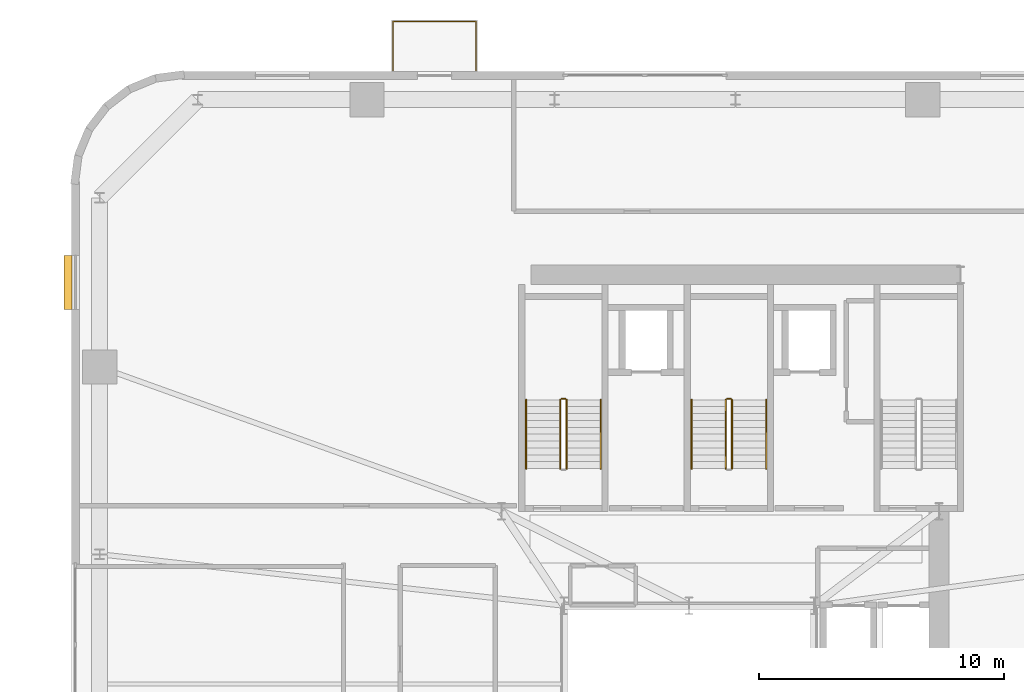
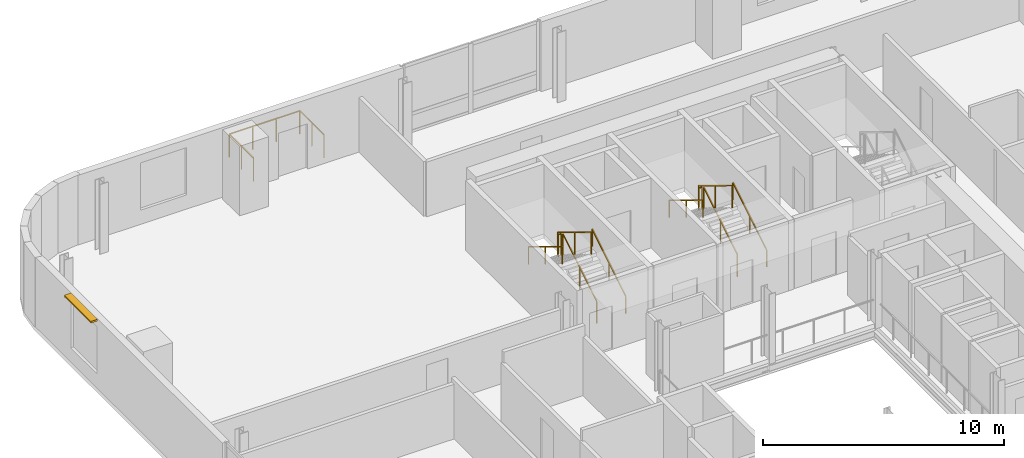
# One storey, part 15 of 16: 11 railings, 1 shading device.
"""IFC4 building model written with IfcOpenShell, lengths in metres."""

from ifc_helpers import new_model, si_unit, direction, frame, origin, origin_2d, place, context, subcontext, project, spatial, rectangle, extrude, source, transform, mapped, material, layer, layer_set, type_object, element, save


model = new_model("IFC4")

# Units and contexts
model_context = context("Model", 3, precision=1e-05, world=origin(), true_north=direction((0.0, 1.0)))
body_context = subcontext(model_context, "Body", "Model", "MODEL_VIEW")
ifc_project = project(units=[si_unit("LENGTHUNIT", "METRE"), si_unit("AREAUNIT", "SQUARE_METRE"), si_unit("VOLUMEUNIT", "CUBIC_METRE"), si_unit("PLANEANGLEUNIT", "RADIAN"), si_unit("MASSUNIT", "GRAM", prefix="KILO")], contexts=[model_context])

# Site, building, storey
site_placement = place(None, origin())
site = spatial("IfcSite", under=ifc_project, at=site_placement, CompositionType="ELEMENT")
building_placement = place(site_placement, origin())
building = spatial("IfcBuilding", under=site, at=building_placement, Name="Vardaveli Station Tower", CompositionType="ELEMENT")
storey_placement = place(building_placement, frame((0.0, 0.0, 192.300048828125)))
storey = spatial("IfcBuildingStorey", under=building, at=storey_placement, Name="L49", CompositionType="ELEMENT", Elevation=192.300048828125)

# Railing
ifc_material_1 = material(Name="Laminated glass and stainless steel balustrade", Category="steel")
railing_type_1 = type_object("IfcRailingType", Name="RL-BAL-1200", PredefinedType="BALUSTRADE", material=ifc_material_1)
shared_shape_1 = source(origin(), body_context, "Body", "SweptSolid", [
    extrude(rectangle(XDim=0.048095703125, YDim=0.048095703125, at=origin_2d()), frame((0.0, 0.0, 1.17578125), z_axis=(0.0, 1.0, 0.0), x_axis=(-1.0, 0.0, 0.0)), (0.0, 0.0, 1.0), 2.0),
    extrude(rectangle(XDim=0.048095703125, YDim=0.048095703125, at=origin_2d()), frame((0.0, 2.0, 1.17578125), z_axis=(1.0, 0.0, 0.0), x_axis=(0.0, 1.0, 0.0)), (0.0, 0.0, 1.0), 3.3798828125),
    extrude(rectangle(XDim=0.048095703125, YDim=0.048095703125, at=origin_2d()), frame((3.3798828125, 2.0, 1.17578125), z_axis=(0.0, -1.0, 0.0), x_axis=(1.0, 0.0, 0.0)), (0.0, 0.0, 1.0), 2.0),
    extrude(rectangle(XDim=0.0419921875, YDim=0.0419921875, at=origin_2d()), origin(), (0.0, 0.0, 1.0), 1.15185546875),
    extrude(rectangle(XDim=0.0419921875, YDim=0.0419921875, at=origin_2d()), frame((0.0, 1.0, 0.0)), (0.0, 0.0, 1.0), 1.15185546875),
    extrude(rectangle(XDim=0.0419921875, YDim=0.0419921875, at=origin_2d()), frame((0.0, 2.0, 0.0)), (0.0, 0.0, 1.0), 1.15185546875),
    extrude(rectangle(XDim=0.0419921875, YDim=0.0419921875, at=origin_2d()), frame((1.126708984375, 2.0, 0.0)), (0.0, 0.0, 1.0), 1.15185546875),
    extrude(rectangle(XDim=0.0419921875, YDim=0.0419921875, at=origin_2d()), frame((2.253173828125, 2.0, 0.0)), (0.0, 0.0, 1.0), 1.15185546875),
    extrude(rectangle(XDim=0.0419921875, YDim=0.0419921875, at=origin_2d()), frame((3.3798828125, 2.0, 0.0)), (0.0, 0.0, 1.0), 1.15185546875),
    extrude(rectangle(XDim=0.0419921875, YDim=0.0419921875, at=origin_2d()), frame((3.3798828125, 1.0, 0.0)), (0.0, 0.0, 1.0), 1.15185546875),
    extrude(rectangle(XDim=0.0419921875, YDim=0.0419921875, at=origin_2d()), frame((3.3798828125, 0.0, 0.0)), (0.0, 0.0, 1.0), 1.15185546875),
])
railing_placement = place(storey_placement, frame((24.220458984375, 48.639892578125, 0.0)))
element("IfcRailing", 1, at=railing_placement, inside=storey, type_object=railing_type_1, Name="RL-LOG-L49-02", PredefinedType="BALUSTRADE", context=body_context, shape_type="MappedRepresentation", body=[
    mapped(shared_shape_1, transform((0.0, 0.0, 0.0), scale=1.0)),
])

# Shading device
ifc_material_2 = material(Name="Anodised champagne aluminium sunshade", Category="aluminium")
ifc_layer = layer(ifc_material_2, 0.090087890625, Name="Anodised champagne aluminium sunshade")
ifc_layer_set = layer_set([ifc_layer], Name="Anodised champagne aluminium sunshade")
shading_device_type = type_object("IfcShadingDeviceType", Name="SHD-SUNSHADE", PredefinedType="USERDEFINED", material=ifc_layer_set)
shared_shape_2 = source(origin(), body_context, "Body", "SweptSolid", [
    extrude(rectangle(XDim=2.199951171875, YDim=0.320068359375, at=origin_2d()), origin(), (0.0, 0.0, 1.0), 0.090087890625),
])
shading_device_placement = place(storey_placement, frame((10.955078125, 39.9951171875, 3.40966796875), z_axis=(0.0, 0.0, 1.0), x_axis=(0.0, 1.0, 0.0)))
element("IfcShadingDevice", 2, at=shading_device_placement, inside=storey, type_object=shading_device_type, Name="SHD-SS-L49-W", ObjectType="SUNSHADE", PredefinedType="USERDEFINED", context=body_context, shape_type="MappedRepresentation", body=[
    mapped(shared_shape_2, transform((0.0, 0.0, 0.0), scale=1.0)),
])

# Railings
ifc_material_3 = material(Name="Brushed AISI 316 stainless steel", Category="steel")
railing_type_2 = type_object("IfcRailingType", Name="RL-GUARD-1150", PredefinedType="GUARDRAIL", material=ifc_material_3)
shared_shape_3 = source(origin(), body_context, "Body", "SweptSolid", [
    extrude(rectangle(XDim=0.048095703125, YDim=0.048095703125, at=origin_2d()), frame((0.0, 0.0, 1.1259765625), z_axis=(-1.0, 0.0, 0.0), x_axis=(0.0, -1.0, 0.0)), (0.0, 0.0, 1.0), 0.14990234375),
    extrude(rectangle(XDim=0.0419921875, YDim=0.0419921875, at=origin_2d()), origin(), (0.0, 0.0, 1.0), 1.101806640625),
    extrude(rectangle(XDim=0.0419921875, YDim=0.0419921875, at=origin_2d()), frame((-0.14990234375, 0.0, 0.0)), (0.0, 0.0, 1.0), 1.101806640625),
])
for number, where, name in (
    (3, (31.25, 35.25, 1.875), "L49 ST-1 stair guard 2"),
    (4, (38.0, 35.25, 1.875), "L49 ST-2 stair guard 2"),
):
    element("IfcRailing", number, at=place(storey_placement, frame(where)), inside=storey, type_object=railing_type_2, Name=name, PredefinedType="GUARDRAIL", context=body_context, shape_type="MappedRepresentation", body=[
        mapped(shared_shape_3, transform((0.0, 0.0, 0.0), scale=1.0)),
    ])
shared_shape_4 = source(origin(), body_context, "Body", "SweptSolid", [
    extrude(rectangle(XDim=0.048095703125, YDim=0.048095703125, at=origin_2d()), frame((0.0, 0.0, 1.1259765625), z_axis=(0.0, 0.854169791009, 0.51999420009), x_axis=(-1.0, 0.0, 0.0)), (0.0, 0.0, 1.0), 3.278076171875),
    extrude(rectangle(XDim=0.0419921875, YDim=0.0419921875, at=origin_2d()), origin(), (0.0, 0.0, 1.0), 1.101806640625),
    extrude(rectangle(XDim=0.0419921875, YDim=0.0419921875, at=origin_2d()), frame((0.0, 1.39990234375, 0.852294921875)), (0.0, 0.0, 1.0), 1.101806640625),
    extrude(rectangle(XDim=0.0419921875, YDim=0.0419921875, at=origin_2d()), frame((0.0, 2.800048828125, 1.70458984375)), (0.0, 0.0, 1.0), 1.101806640625),
])
for number, where, name in (
    (5, (31.300048828125, 32.39990234375, 0.17041015625), "L49 ST-1 stair guard 1"),
    (6, (38.050048828125, 32.39990234375, 0.17041015625), "L49 ST-2 stair guard 1"),
):
    element("IfcRailing", number, at=place(storey_placement, frame(where)), inside=storey, type_object=railing_type_2, Name=name, PredefinedType="GUARDRAIL", context=body_context, shape_type="MappedRepresentation", body=[
        mapped(shared_shape_4, transform((0.0, 0.0, 0.0), scale=1.0)),
    ])
shared_shape_5 = source(origin(), body_context, "Body", "SweptSolid", [
    extrude(rectangle(XDim=0.048095703125, YDim=0.048095703125, at=origin_2d()), frame((0.0, 0.0, 1.1259765625), z_axis=(0.0, -0.854169791009, 0.51999420009), x_axis=(1.0, 0.0, 0.0)), (0.0, 0.0, 1.0), 3.278076171875),
    extrude(rectangle(XDim=0.0419921875, YDim=0.0419921875, at=origin_2d()), origin(), (0.0, 0.0, 1.0), 1.101806640625),
    extrude(rectangle(XDim=0.0419921875, YDim=0.0419921875, at=origin_2d()), frame((0.0, -1.39990234375, 0.852294921875)), (0.0, 0.0, 1.0), 1.101806640625),
    extrude(rectangle(XDim=0.0419921875, YDim=0.0419921875, at=origin_2d()), frame((0.0, -2.800048828125, 1.70458984375)), (0.0, 0.0, 1.0), 1.101806640625),
])
for number, where, name in (
    (7, (31.050048828125, 35.199951171875, 2.04541015625), "L49 ST-1 stair guard 3"),
    (8, (37.800048828125, 35.199951171875, 2.04541015625), "L49 ST-2 stair guard 3"),
):
    element("IfcRailing", number, at=place(storey_placement, frame(where)), inside=storey, type_object=railing_type_2, Name=name, PredefinedType="GUARDRAIL", context=body_context, shape_type="MappedRepresentation", body=[
        mapped(shared_shape_5, transform((0.0, 0.0, 0.0), scale=1.0)),
    ])
railing_type_3 = type_object("IfcRailingType", Name="RL-HAND-900", PredefinedType="HANDRAIL", material=ifc_material_3)
shared_shape_6 = source(origin(), body_context, "Body", "SweptSolid", [
    extrude(rectangle(XDim=0.048095703125, YDim=0.048095703125, at=origin_2d()), frame((0.0, 0.0, 0.8759765625), z_axis=(0.0, 0.854169791009, 0.51999420009), x_axis=(-1.0, 0.0, 0.0)), (0.0, 0.0, 1.0), 3.278076171875),
    extrude(rectangle(XDim=0.0419921875, YDim=0.0419921875, at=origin_2d()), origin(), (0.0, 0.0, 1.0), 0.851806640625),
    extrude(rectangle(XDim=0.0419921875, YDim=0.0419921875, at=origin_2d()), frame((0.0, 1.39990234375, 0.852294921875)), (0.0, 0.0, 1.0), 0.851806640625),
    extrude(rectangle(XDim=0.0419921875, YDim=0.0419921875, at=origin_2d()), frame((0.0, 2.800048828125, 1.70458984375)), (0.0, 0.0, 1.0), 0.851806640625),
])
for number, where, name in (
    (9, (32.699951171875, 32.39990234375, 0.17041015625), "L49 ST-1 stair handrail 1"),
    (10, (39.449951171875, 32.39990234375, 0.17041015625), "L49 ST-2 stair handrail 1"),
):
    element("IfcRailing", number, at=place(storey_placement, frame(where)), inside=storey, type_object=railing_type_3, Name=name, PredefinedType="HANDRAIL", context=body_context, shape_type="MappedRepresentation", body=[
        mapped(shared_shape_6, transform((0.0, 0.0, 0.0), scale=1.0)),
    ])
shared_shape_7 = source(origin(), body_context, "Body", "SweptSolid", [
    extrude(rectangle(XDim=0.048095703125, YDim=0.048095703125, at=origin_2d()), frame((0.0, 0.0, 0.8759765625), z_axis=(0.0, -0.854169791009, 0.51999420009), x_axis=(1.0, 0.0, 0.0)), (0.0, 0.0, 1.0), 3.278076171875),
    extrude(rectangle(XDim=0.0419921875, YDim=0.0419921875, at=origin_2d()), origin(), (0.0, 0.0, 1.0), 0.851806640625),
    extrude(rectangle(XDim=0.0419921875, YDim=0.0419921875, at=origin_2d()), frame((0.0, -1.39990234375, 0.852294921875)), (0.0, 0.0, 1.0), 0.851806640625),
    extrude(rectangle(XDim=0.0419921875, YDim=0.0419921875, at=origin_2d()), frame((0.0, -2.800048828125, 1.70458984375)), (0.0, 0.0, 1.0), 0.851806640625),
])
for number, where, name in (
    (11, (29.64990234375, 35.199951171875, 2.04541015625), "L49 ST-1 stair handrail 2"),
    (12, (36.39990234375, 35.199951171875, 2.04541015625), "L49 ST-2 stair handrail 2"),
):
    element("IfcRailing", number, at=place(storey_placement, frame(where)), inside=storey, type_object=railing_type_3, Name=name, PredefinedType="HANDRAIL", context=body_context, shape_type="MappedRepresentation", body=[
        mapped(shared_shape_7, transform((0.0, 0.0, 0.0), scale=1.0)),
    ])

save(model, "model.ifc")
